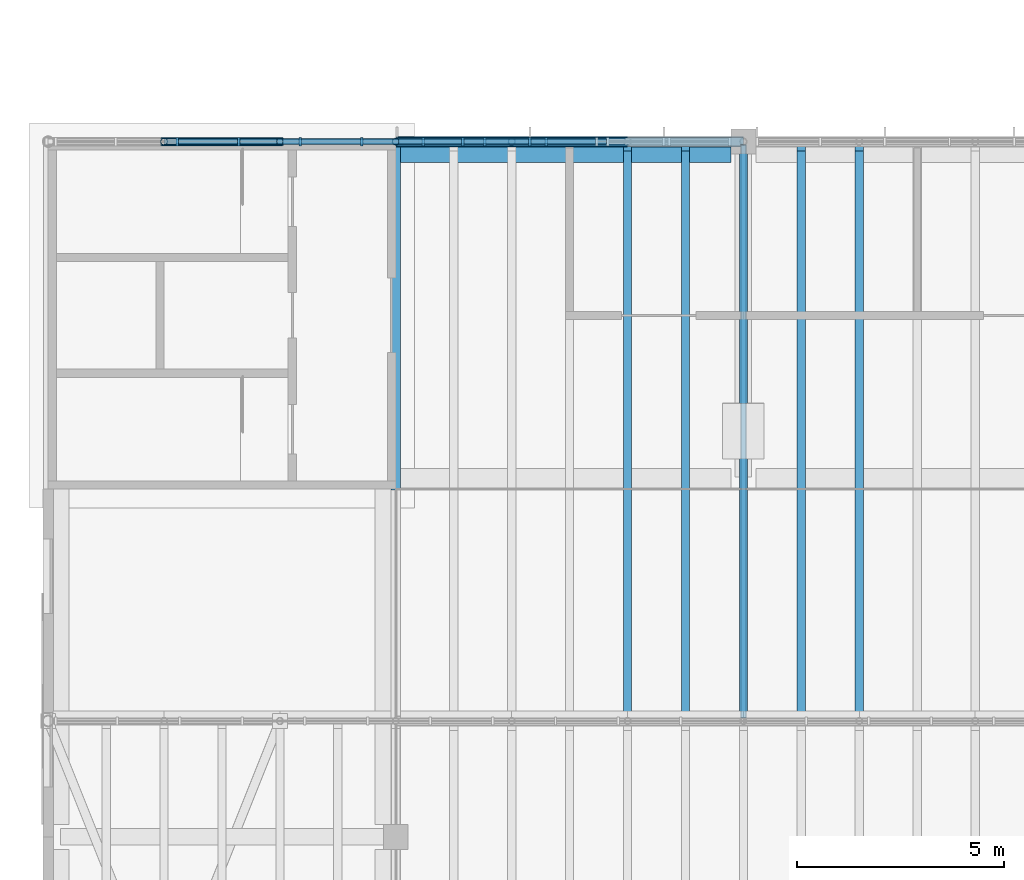
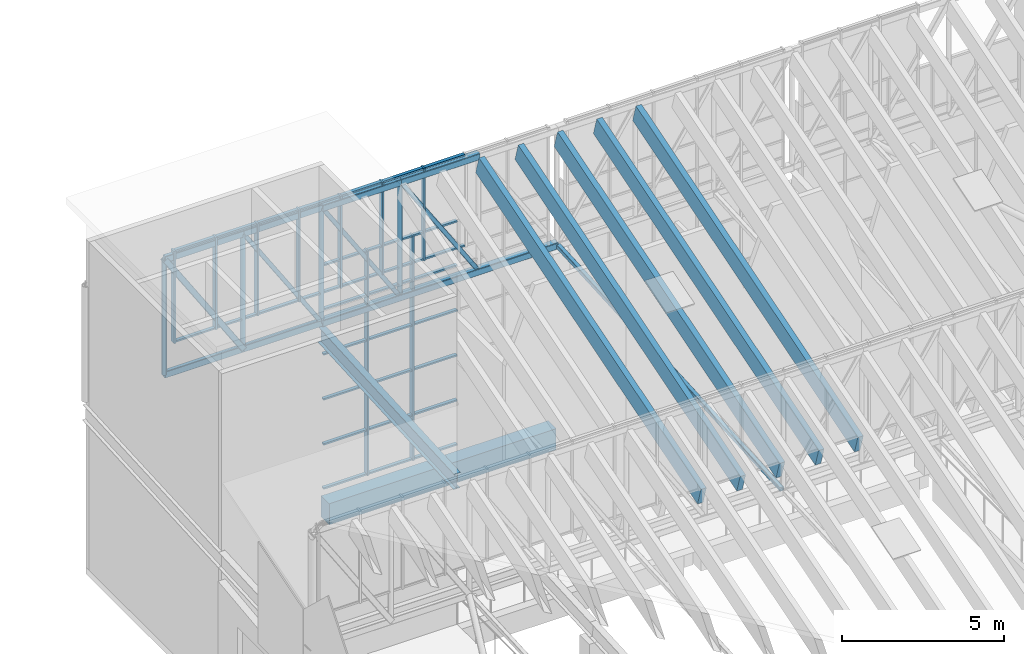
# One storey, part 31 of 91: 62 members, 2 beams, 2 elements without a shape of their own.
"""IFC4 building model written with IfcOpenShell, lengths in metres."""

import ifcopenshell
import ifcopenshell.guid

model = None  # the IFC model being written
_history = None  # IfcOwnerHistory: only IFC2X3 demands one
_inside = {}  # id of a spatial element -> (the spatial element, [elements in it])
_under = {}  # id of a project, library or spatial element -> (it, [spatial elements below it])
_declared = {}  # id of a project -> (the project, [libraries it declares])
_typed = {}  # id of a type object -> (the type object, [elements of that type])
_made_of = {}  # id of a material, layer set ... -> (it, [elements and type objects made of it])


def new_model(schema):
    """Start an empty IFC model of exactly this schema.

    Asked for "IFC4X3", IfcOpenShell would pick the latest addendum, in which some entities
    have other attributes; the version numbers below select the first issue.
    IFC2X3 requires an IfcOwnerHistory on every rooted entity: one is made here for all.
    """
    global model, _history
    if schema == "IFC4X3":
        model = ifcopenshell.file(schema_version=(4, 3, 0, 0))
    else:
        model = ifcopenshell.file(schema=schema)
    _inside.clear()
    _under.clear()
    _declared.clear()
    _typed.clear()
    _made_of.clear()
    _history = None
    if model.schema == "IFC2X3":
        org = make("IfcOrganization", Name="unknown")
        user = make(
            "IfcPersonAndOrganization",
            ThePerson=make("IfcPerson", FamilyName="unknown"),
            TheOrganization=org,
        )
        app = make(
            "IfcApplication",
            ApplicationDeveloper=org,
            Version="unknown",
            ApplicationFullName="unknown",
            ApplicationIdentifier="unknown",
        )
        _history = make(
            "IfcOwnerHistory",
            OwningUser=user,
            OwningApplication=app,
            ChangeAction="ADDED",
            CreationDate=0,
        )
    return model


def make(cls, **values):
    """One entity of the class cls with the attributes given. An attribute that is None is left unset."""
    return model.create_entity(
        cls, **{name: value for name, value in values.items() if value is not None}
    )


def rooted(cls, **values):
    """An entity with a GlobalId (a new one), such as an element, a storey or a relation."""
    return make(cls, GlobalId=ifcopenshell.guid.new(), OwnerHistory=_history, **values)


def si_unit(unit_type, name, prefix=None):
    """IfcSIUnit, for example si_unit("LENGTHUNIT", "METRE", prefix="MILLI")."""
    return make("IfcSIUnit", UnitType=unit_type, Prefix=prefix, Name=name)


def assignment(units):
    """IfcUnitAssignment: the units of a project."""
    return None if units is None else make("IfcUnitAssignment", Units=units)


def point(xyz):
    """IfcCartesianPoint."""
    return None if xyz is None else make("IfcCartesianPoint", Coordinates=xyz)


def direction(xyz):
    """IfcDirection."""
    return None if xyz is None else make("IfcDirection", DirectionRatios=xyz)


def frame(location, z_axis=None, x_axis=None):
    """IfcAxis2Placement3D, a coordinate frame: its origin and axes. An axis left out is left unset."""
    return make(
        "IfcAxis2Placement3D",
        Location=point(location),
        Axis=direction(z_axis),
        RefDirection=direction(x_axis),
    )


def frame_2d(location, x_axis=None):
    """IfcAxis2Placement2D, a coordinate frame in the plane: its origin and x axis."""
    return make(
        "IfcAxis2Placement2D", Location=point(location), RefDirection=direction(x_axis)
    )


def origin():
    """The frame at (0, 0, 0) with its axes left unset."""
    return frame((0.0, 0.0, 0.0))


def origin_2d():
    """The frame at (0, 0) in the plane with its x axis left unset."""
    return frame_2d((0.0, 0.0))


def place(relative_to, where):
    """IfcLocalPlacement: puts the frame where relative to a parent placement (None: the world)."""
    return make(
        "IfcLocalPlacement", PlacementRelTo=relative_to, RelativePlacement=where
    )


def context(
    kind, dimensions, precision=None, world=None, true_north=None, identifier=None
):
    """IfcGeometricRepresentationContext, for example the 3D "Model" context."""
    return make(
        "IfcGeometricRepresentationContext",
        ContextIdentifier=identifier,
        ContextType=kind,
        CoordinateSpaceDimension=dimensions,
        Precision=precision,
        WorldCoordinateSystem=world,
        TrueNorth=true_north,
    )


def subcontext(parent, identifier, kind, view, scale=None):
    """IfcGeometricRepresentationSubContext, for example "Body" below "Model"."""
    return make(
        "IfcGeometricRepresentationSubContext",
        ContextIdentifier=identifier,
        ContextType=kind,
        ParentContext=parent,
        TargetScale=scale,
        TargetView=view,
    )


def project(units=None, contexts=None):
    """IfcProject with its units and contexts."""
    return rooted(
        "IfcProject",
        Name="project",
        RepresentationContexts=contexts,
        UnitsInContext=assignment(units),
    )


def spatial(cls, under=None, at=None, **own):
    """A site, building, storey or space (cls), placed at a placement, below another one or the project."""
    s = rooted(cls, ObjectPlacement=at, **own)
    if under is not None:
        _under.setdefault(under.id(), (under, []))[1].append(s)
    return s


def profile(cls, at=None, kind="AREA", **sizes):
    """A parametric profile (cls). Its sizes go by their IFC names, for example OverallWidth=200.0."""
    return make(cls, ProfileType=kind, Position=at, **sizes)


def rectangle(**sizes):
    """IfcRectangleProfileDef."""
    return profile("IfcRectangleProfileDef", **sizes)


def hollow_rectangle(**sizes):
    """IfcRectangleHollowProfileDef."""
    return profile("IfcRectangleHollowProfileDef", **sizes)


def hollow_circle(**sizes):
    """IfcCircleHollowProfileDef."""
    return profile("IfcCircleHollowProfileDef", **sizes)


def i_section(**sizes):
    """IfcIShapeProfileDef."""
    return profile("IfcIShapeProfileDef", **sizes)


def extrude(swept, where, along, depth):
    """IfcExtrudedAreaSolid: the profile swept, set in the frame where, extruded along a direction by depth."""
    return make(
        "IfcExtrudedAreaSolid",
        SweptArea=swept,
        Position=where,
        ExtrudedDirection=direction(along),
        Depth=depth,
    )


def shape(context_of_items, identifier, shape_type, items):
    """IfcShapeRepresentation: the items that make up one representation, for example the "Body"."""
    return make(
        "IfcShapeRepresentation",
        ContextOfItems=context_of_items,
        RepresentationIdentifier=identifier,
        RepresentationType=shape_type,
        Items=items,
    )


def material(Name=None, Category=None):
    """IfcMaterial."""
    return make("IfcMaterial", Name=Name, Category=Category)


def material_profile(
    of_material, cross_section, Name=None, Category=None, Priority=None
):
    """IfcMaterialProfile: a cross section and its material."""
    return make(
        "IfcMaterialProfile",
        Name=Name,
        Material=of_material,
        Profile=cross_section,
        Priority=Priority,
        Category=Category,
    )


def profile_set(profiles, Name=None, composite=None):
    """IfcMaterialProfileSet."""
    return make(
        "IfcMaterialProfileSet",
        Name=Name,
        MaterialProfiles=profiles,
        CompositeProfile=composite,
    )


def made_of(thing, what):
    """Note that an element or type object is made of a material, layer set ...; save() writes the relation."""
    if what is not None:
        _made_of.setdefault(what.id(), (what, []))[1].append(thing)
    return thing


def type_object(cls, material=None, **own):
    """A type object (cls), such as IfcWallType, which elements share."""
    return made_of(rooted(cls, **own), material)


def element(
    cls,
    number,
    at=None,
    inside=None,
    cuts=None,
    type_object=None,
    material=None,
    context=None,
    identifier="Body",
    shape_type=None,
    held_by="IfcProductDefinitionShape",
    body=None,
    shapes=None,
    **own,
):
    """One element of the class cls, such as IfcWall. Its Tag is "e" and its number.

    at: its placement. inside: the storey or other place that contains it. cuts: it is an
    opening in that element (IfcRelVoidsElement). A single representation is given by context,
    identifier, shape_type and body (its items); several are given by shapes. held_by: the class
    of the entity that holds the representations. save() writes the other relations.
    """
    e = rooted(cls, Tag="e%d" % number, ObjectPlacement=at, **own)
    if body is not None:
        shapes = [shape(context, identifier, shape_type, body)]
    if shapes is not None:
        e.Representation = make(held_by, Representations=shapes)
    if inside is not None:
        _inside.setdefault(inside.id(), (inside, []))[1].append(e)
    if cuts is not None:
        rooted(
            "IfcRelVoidsElement", RelatingBuildingElement=cuts, RelatedOpeningElement=e
        )
    if type_object is not None:
        _typed.setdefault(type_object.id(), (type_object, []))[1].append(e)
    return made_of(e, material)


def aggregate(whole, parts):
    """IfcRelAggregates: a whole, such as a stair, and the parts it consists of."""
    return rooted("IfcRelAggregates", RelatingObject=whole, RelatedObjects=parts)


def save(model, path):
    """Write the relations noted so far, then the file.

    IfcRelAggregates (storeys below a building ...), IfcRelContainedInSpatialStructure (elements
    in a storey), IfcRelDefinesByType, IfcRelAssociatesMaterial and IfcRelDeclares: one each for
    every whole, place, type object, material and project.
    """
    for whole, parts in _under.values():
        aggregate(whole, parts)
    for where, things in _inside.values():
        rooted(
            "IfcRelContainedInSpatialStructure",
            RelatedElements=things,
            RelatingStructure=where,
        )
    for kind, things in _typed.values():
        rooted("IfcRelDefinesByType", RelatedObjects=things, RelatingType=kind)
    for what, things in _made_of.values():
        rooted("IfcRelAssociatesMaterial", RelatedObjects=things, RelatingMaterial=what)
    for by, libraries in _declared.values():
        rooted("IfcRelDeclares", RelatingContext=by, RelatedDefinitions=libraries)
    model.write(path)


model = new_model("IFC4")

# Units and contexts
model_context = context("Model", 3, precision=1e-05, world=origin(), true_north=direction((0.0, 1.0)))
body_context = subcontext(model_context, "Body", "Model", "MODEL_VIEW")
ifc_project = project(units=[si_unit("LENGTHUNIT", "METRE"), si_unit("AREAUNIT", "SQUARE_METRE"), si_unit("VOLUMEUNIT", "CUBIC_METRE"), si_unit("PLANEANGLEUNIT", "RADIAN"), si_unit("MASSUNIT", "GRAM", prefix="KILO")], contexts=[model_context])

# Site, building, storey
site_placement = place(None, origin())
site = spatial("IfcSite", under=ifc_project, at=site_placement, CompositionType="ELEMENT")
building_placement = place(site_placement, origin())
building = spatial("IfcBuilding", under=site, at=building_placement, Name="Almond Square Museum", CompositionType="ELEMENT")
storey_placement = place(building_placement, frame((0.0, 0.0, 30.0)))
storey = spatial("IfcBuildingStorey", under=building, at=storey_placement, Name="L05", CompositionType="ELEMENT", Elevation=30.0)

# Curtain wall, members
ifc_material_1 = material(Name="Aluminium and laminated glass", Category="aluminium")
curtain_wall_type = type_object("IfcCurtainWallType", Name="Unitised curtain wall 1500 module", PredefinedType="NOTDEFINED", material=ifc_material_1)
curtain_wall_1_placement = place(storey_placement, origin())
curtain_wall_1 = element("IfcCurtainWall", 1, at=curtain_wall_1_placement, inside=storey, type_object=curtain_wall_type, Name="Curtain wall CW-55", PredefinedType="NOTDEFINED")
ifc_material_2 = material(Name="Anodised aluminium", Category="aluminium")
ifc_material_profile_1 = material_profile(ifc_material_2, rectangle(XDim=0.199951171875, YDim=0.06005859375, at=origin_2d()))
ifc_profile_set_1 = profile_set([ifc_material_profile_1], Name="Anodised aluminium")
member_type_1 = type_object("IfcMemberType", Name="Aluminium mullion 60 x 200", PredefinedType="MULLION", material=ifc_profile_set_1)
member_1_placement = place(storey_placement, frame((83.219970703125, 109.199951171875, 0.0), z_axis=(0.0, 0.0, 1.0), x_axis=(0.0, 1.0, 0.0)))
member_1 = element("IfcMember", 2, at=member_1_placement, type_object=member_type_1, Name="CW-55 mullion 2", PredefinedType="MULLION", context=body_context, shape_type="SweptSolid", body=[
    extrude(rectangle(XDim=0.199951171875, YDim=0.06005859375, at=origin_2d()), origin(), (0.0, 0.0, 1.0), 8.480224609375),
])
member_2_placement = place(storey_placement, frame((84.840087890625, 109.199951171875, 0.0), z_axis=(0.0, 0.0, 1.0), x_axis=(0.0, 1.0, 0.0)))
member_2 = element("IfcMember", 3, at=member_2_placement, type_object=member_type_1, Name="CW-55 mullion 3", PredefinedType="MULLION", context=body_context, shape_type="SweptSolid", body=[
    extrude(rectangle(XDim=0.199951171875, YDim=0.06005859375, at=origin_2d()), origin(), (0.0, 0.0, 1.0), 8.480224609375),
])

curtain_wall_2_placement = place(storey_placement, origin())
curtain_wall_2 = element("IfcCurtainWall", 4, at=curtain_wall_2_placement, inside=storey, type_object=curtain_wall_type, Name="Rooflight glazing AG3", PredefinedType="NOTDEFINED")
member_3_placement = place(storey_placement, frame((76.32275390625, 109.199951171875, 7.39990234375), z_axis=(0.0, 0.0, 1.0), x_axis=(0.0, 1.0, 0.0)))
member_3 = element("IfcMember", 5, at=member_3_placement, type_object=member_type_1, Name="CW-58 mullion 3", PredefinedType="MULLION", context=body_context, shape_type="SweptSolid", body=[
    extrude(rectangle(XDim=0.199951171875, YDim=0.06005859375, at=origin_2d()), origin(), (0.0, 0.0, 1.0), 3.480224609375),
])
member_4_placement = place(storey_placement, frame((77.80908203125, 109.199951171875, 7.39990234375), z_axis=(0.0, 0.0, 1.0), x_axis=(0.0, 1.0, 0.0)))
member_4 = element("IfcMember", 6, at=member_4_placement, type_object=member_type_1, Name="CW-58 mullion 4", PredefinedType="MULLION", context=body_context, shape_type="SweptSolid", body=[
    extrude(rectangle(XDim=0.199951171875, YDim=0.06005859375, at=origin_2d()), origin(), (0.0, 0.0, 1.0), 3.480224609375),
])
member_5_placement = place(storey_placement, frame((79.29541015625, 109.199951171875, 7.39990234375), z_axis=(0.0, 0.0, 1.0), x_axis=(0.0, 1.0, 0.0)))
member_5 = element("IfcMember", 7, at=member_5_placement, type_object=member_type_1, Name="CW-58 mullion 5", PredefinedType="MULLION", context=body_context, shape_type="SweptSolid", body=[
    extrude(rectangle(XDim=0.199951171875, YDim=0.06005859375, at=origin_2d()), origin(), (0.0, 0.0, 1.0), 3.480224609375),
])
member_6_placement = place(storey_placement, frame((80.78173828125, 109.199951171875, 7.39990234375), z_axis=(0.0, 0.0, 1.0), x_axis=(0.0, 1.0, 0.0)))
member_6 = element("IfcMember", 8, at=member_6_placement, type_object=member_type_1, Name="CW-58 mullion 6", PredefinedType="MULLION", context=body_context, shape_type="SweptSolid", body=[
    extrude(rectangle(XDim=0.199951171875, YDim=0.06005859375, at=origin_2d()), origin(), (0.0, 0.0, 1.0), 3.480224609375),
])
member_7_placement = place(storey_placement, frame((82.26806640625, 109.199951171875, 7.39990234375), z_axis=(0.0, 0.0, 1.0), x_axis=(0.0, 1.0, 0.0)))
member_7 = element("IfcMember", 9, at=member_7_placement, type_object=member_type_1, Name="CW-58 mullion 7", PredefinedType="MULLION", context=body_context, shape_type="SweptSolid", body=[
    extrude(rectangle(XDim=0.199951171875, YDim=0.06005859375, at=origin_2d()), origin(), (0.0, 0.0, 1.0), 3.480224609375),
])
member_8_placement = place(storey_placement, frame((83.754638671875, 109.199951171875, 7.39990234375), z_axis=(0.0, 0.0, 1.0), x_axis=(0.0, 1.0, 0.0)))
member_8 = element("IfcMember", 10, at=member_8_placement, type_object=member_type_1, Name="CW-58 mullion 8", PredefinedType="MULLION", context=body_context, shape_type="SweptSolid", body=[
    extrude(rectangle(XDim=0.199951171875, YDim=0.06005859375, at=origin_2d()), origin(), (0.0, 0.0, 1.0), 3.480224609375),
])
member_9_placement = place(storey_placement, frame((85.240966796875, 109.199951171875, 7.39990234375), z_axis=(0.0, 0.0, 1.0), x_axis=(0.0, 1.0, 0.0)))
member_9 = element("IfcMember", 11, at=member_9_placement, type_object=member_type_1, Name="CW-58 mullion 9", PredefinedType="MULLION", context=body_context, shape_type="SweptSolid", body=[
    extrude(rectangle(XDim=0.199951171875, YDim=0.06005859375, at=origin_2d()), origin(), (0.0, 0.0, 1.0), 3.480224609375),
])

# Member
ifc_material_3 = material(Name="Anodised aluminium", Category="aluminium")
ifc_material_profile_2 = material_profile(ifc_material_3, rectangle(XDim=0.1201171875, YDim=0.06005859375, at=origin_2d()))
ifc_profile_set_2 = profile_set([ifc_material_profile_2], Name="Anodised aluminium")
member_type_2 = type_object("IfcMemberType", Name="Aluminium transom 60 x 120", PredefinedType="USERDEFINED", material=ifc_profile_set_2)
member_10_placement = place(storey_placement, frame((81.659912109375, 109.199951171875, 0.030029296875), z_axis=(1.0, 0.0, 0.0), x_axis=(0.0, 1.0, 0.0)))
member_10 = element("IfcMember", 12, at=member_10_placement, type_object=member_type_2, Name="CW-55 transom 1.1", ObjectType="TRANSOM", PredefinedType="USERDEFINED", context=body_context, shape_type="SweptSolid", body=[
    extrude(rectangle(XDim=0.1201171875, YDim=0.06005859375, at=origin_2d()), origin(), (0.0, 0.0, 1.0), 1.530029296875),
])

member_11_placement = place(storey_placement, frame((81.659912109375, 109.199951171875, 1.696044921875), z_axis=(1.0, 0.0, 0.0), x_axis=(0.0, 1.0, 0.0)))
member_11 = element("IfcMember", 13, at=member_11_placement, type_object=member_type_2, Name="CW-55 transom 1.2", ObjectType="TRANSOM", PredefinedType="USERDEFINED", context=body_context, shape_type="SweptSolid", body=[
    extrude(rectangle(XDim=0.1201171875, YDim=0.06005859375, at=origin_2d()), origin(), (0.0, 0.0, 1.0), 1.530029296875),
])

member_12_placement = place(storey_placement, frame((81.659912109375, 109.199951171875, 3.39208984375), z_axis=(1.0, 0.0, 0.0), x_axis=(0.0, 1.0, 0.0)))
member_12 = element("IfcMember", 14, at=member_12_placement, type_object=member_type_2, Name="CW-55 transom 1.3", ObjectType="TRANSOM", PredefinedType="USERDEFINED", context=body_context, shape_type="SweptSolid", body=[
    extrude(rectangle(XDim=0.1201171875, YDim=0.06005859375, at=origin_2d()), origin(), (0.0, 0.0, 1.0), 1.530029296875),
])

member_13_placement = place(storey_placement, frame((81.659912109375, 109.199951171875, 5.088134765625), z_axis=(1.0, 0.0, 0.0), x_axis=(0.0, 1.0, 0.0)))
member_13 = element("IfcMember", 15, at=member_13_placement, type_object=member_type_2, Name="CW-55 transom 1.4", ObjectType="TRANSOM", PredefinedType="USERDEFINED", context=body_context, shape_type="SweptSolid", body=[
    extrude(rectangle(XDim=0.1201171875, YDim=0.06005859375, at=origin_2d()), origin(), (0.0, 0.0, 1.0), 1.530029296875),
])

member_14_placement = place(storey_placement, frame((81.659912109375, 109.199951171875, 6.7841796875), z_axis=(1.0, 0.0, 0.0), x_axis=(0.0, 1.0, 0.0)))
member_14 = element("IfcMember", 16, at=member_14_placement, type_object=member_type_2, Name="CW-55 transom 1.5", ObjectType="TRANSOM", PredefinedType="USERDEFINED", context=body_context, shape_type="SweptSolid", body=[
    extrude(rectangle(XDim=0.1201171875, YDim=0.06005859375, at=origin_2d()), origin(), (0.0, 0.0, 1.0), 1.530029296875),
])

member_15_placement = place(storey_placement, frame((81.659912109375, 109.199951171875, 8.4501953125), z_axis=(1.0, 0.0, 0.0), x_axis=(0.0, 1.0, 0.0)))
member_15 = element("IfcMember", 17, at=member_15_placement, type_object=member_type_2, Name="CW-55 transom 1.6", ObjectType="TRANSOM", PredefinedType="USERDEFINED", context=body_context, shape_type="SweptSolid", body=[
    extrude(rectangle(XDim=0.1201171875, YDim=0.06005859375, at=origin_2d()), origin(), (0.0, 0.0, 1.0), 1.530029296875),
])

member_16_placement = place(storey_placement, frame((83.25, 109.199951171875, 0.030029296875), z_axis=(1.0, 0.0, 0.0), x_axis=(0.0, 1.0, 0.0)))
member_16 = element("IfcMember", 18, at=member_16_placement, type_object=member_type_2, Name="CW-55 transom 2.1", ObjectType="TRANSOM", PredefinedType="USERDEFINED", context=body_context, shape_type="SweptSolid", body=[
    extrude(rectangle(XDim=0.1201171875, YDim=0.06005859375, at=origin_2d()), origin(), (0.0, 0.0, 1.0), 1.56005859375),
])

member_17_placement = place(storey_placement, frame((83.25, 109.199951171875, 1.696044921875), z_axis=(1.0, 0.0, 0.0), x_axis=(0.0, 1.0, 0.0)))
member_17 = element("IfcMember", 19, at=member_17_placement, type_object=member_type_2, Name="CW-55 transom 2.2", ObjectType="TRANSOM", PredefinedType="USERDEFINED", context=body_context, shape_type="SweptSolid", body=[
    extrude(rectangle(XDim=0.1201171875, YDim=0.06005859375, at=origin_2d()), origin(), (0.0, 0.0, 1.0), 1.56005859375),
])

member_18_placement = place(storey_placement, frame((83.25, 109.199951171875, 3.39208984375), z_axis=(1.0, 0.0, 0.0), x_axis=(0.0, 1.0, 0.0)))
member_18 = element("IfcMember", 20, at=member_18_placement, type_object=member_type_2, Name="CW-55 transom 2.3", ObjectType="TRANSOM", PredefinedType="USERDEFINED", context=body_context, shape_type="SweptSolid", body=[
    extrude(rectangle(XDim=0.1201171875, YDim=0.06005859375, at=origin_2d()), origin(), (0.0, 0.0, 1.0), 1.56005859375),
])

member_19_placement = place(storey_placement, frame((83.25, 109.199951171875, 5.088134765625), z_axis=(1.0, 0.0, 0.0), x_axis=(0.0, 1.0, 0.0)))
member_19 = element("IfcMember", 21, at=member_19_placement, type_object=member_type_2, Name="CW-55 transom 2.4", ObjectType="TRANSOM", PredefinedType="USERDEFINED", context=body_context, shape_type="SweptSolid", body=[
    extrude(rectangle(XDim=0.1201171875, YDim=0.06005859375, at=origin_2d()), origin(), (0.0, 0.0, 1.0), 1.56005859375),
])

member_20_placement = place(storey_placement, frame((83.25, 109.199951171875, 6.7841796875), z_axis=(1.0, 0.0, 0.0), x_axis=(0.0, 1.0, 0.0)))
member_20 = element("IfcMember", 22, at=member_20_placement, type_object=member_type_2, Name="CW-55 transom 2.5", ObjectType="TRANSOM", PredefinedType="USERDEFINED", context=body_context, shape_type="SweptSolid", body=[
    extrude(rectangle(XDim=0.1201171875, YDim=0.06005859375, at=origin_2d()), origin(), (0.0, 0.0, 1.0), 1.56005859375),
])

member_21_placement = place(storey_placement, frame((83.25, 109.199951171875, 8.4501953125), z_axis=(1.0, 0.0, 0.0), x_axis=(0.0, 1.0, 0.0)))
member_21 = element("IfcMember", 23, at=member_21_placement, type_object=member_type_2, Name="CW-55 transom 2.6", ObjectType="TRANSOM", PredefinedType="USERDEFINED", context=body_context, shape_type="SweptSolid", body=[
    extrude(rectangle(XDim=0.1201171875, YDim=0.06005859375, at=origin_2d()), origin(), (0.0, 0.0, 1.0), 1.56005859375),
])

member_22_placement = place(storey_placement, frame((84.8701171875, 109.199951171875, 0.030029296875), z_axis=(1.0, 0.0, 0.0), x_axis=(0.0, 1.0, 0.0)))
member_22 = element("IfcMember", 24, at=member_22_placement, type_object=member_type_2, Name="CW-55 transom 3.1", ObjectType="TRANSOM", PredefinedType="USERDEFINED", context=body_context, shape_type="SweptSolid", body=[
    extrude(rectangle(XDim=0.1201171875, YDim=0.06005859375, at=origin_2d()), origin(), (0.0, 0.0, 1.0), 1.559814453125),
])

member_23_placement = place(storey_placement, frame((84.8701171875, 109.199951171875, 1.696044921875), z_axis=(1.0, 0.0, 0.0), x_axis=(0.0, 1.0, 0.0)))
member_23 = element("IfcMember", 25, at=member_23_placement, type_object=member_type_2, Name="CW-55 transom 3.2", ObjectType="TRANSOM", PredefinedType="USERDEFINED", context=body_context, shape_type="SweptSolid", body=[
    extrude(rectangle(XDim=0.1201171875, YDim=0.06005859375, at=origin_2d()), origin(), (0.0, 0.0, 1.0), 1.559814453125),
])

member_24_placement = place(storey_placement, frame((84.8701171875, 109.199951171875, 3.39208984375), z_axis=(1.0, 0.0, 0.0), x_axis=(0.0, 1.0, 0.0)))
member_24 = element("IfcMember", 26, at=member_24_placement, type_object=member_type_2, Name="CW-55 transom 3.3", ObjectType="TRANSOM", PredefinedType="USERDEFINED", context=body_context, shape_type="SweptSolid", body=[
    extrude(rectangle(XDim=0.1201171875, YDim=0.06005859375, at=origin_2d()), origin(), (0.0, 0.0, 1.0), 1.559814453125),
])

member_25_placement = place(storey_placement, frame((84.8701171875, 109.199951171875, 5.088134765625), z_axis=(1.0, 0.0, 0.0), x_axis=(0.0, 1.0, 0.0)))
member_25 = element("IfcMember", 27, at=member_25_placement, type_object=member_type_2, Name="CW-55 transom 3.4", ObjectType="TRANSOM", PredefinedType="USERDEFINED", context=body_context, shape_type="SweptSolid", body=[
    extrude(rectangle(XDim=0.1201171875, YDim=0.06005859375, at=origin_2d()), origin(), (0.0, 0.0, 1.0), 1.559814453125),
])

member_26_placement = place(storey_placement, frame((84.8701171875, 109.199951171875, 6.7841796875), z_axis=(1.0, 0.0, 0.0), x_axis=(0.0, 1.0, 0.0)))
member_26 = element("IfcMember", 28, at=member_26_placement, type_object=member_type_2, Name="CW-55 transom 3.5", ObjectType="TRANSOM", PredefinedType="USERDEFINED", context=body_context, shape_type="SweptSolid", body=[
    extrude(rectangle(XDim=0.1201171875, YDim=0.06005859375, at=origin_2d()), origin(), (0.0, 0.0, 1.0), 1.559814453125),
])

member_27_placement = place(storey_placement, frame((84.8701171875, 109.199951171875, 8.4501953125), z_axis=(1.0, 0.0, 0.0), x_axis=(0.0, 1.0, 0.0)))
member_27 = element("IfcMember", 29, at=member_27_placement, type_object=member_type_2, Name="CW-55 transom 3.6", ObjectType="TRANSOM", PredefinedType="USERDEFINED", context=body_context, shape_type="SweptSolid", body=[
    extrude(rectangle(XDim=0.1201171875, YDim=0.06005859375, at=origin_2d()), origin(), (0.0, 0.0, 1.0), 1.559814453125),
])

aggregate(curtain_wall_1, [member_1, member_2, member_10, member_11, member_12, member_13, member_14, member_15, member_16, member_17, member_18, member_19, member_20, member_21, member_22, member_23, member_24, member_25, member_26, member_27])

member_28_placement = place(storey_placement, frame((76.352783203125, 109.199951171875, 7.429931640625), z_axis=(1.0, 0.0, 0.0), x_axis=(0.0, 1.0, 0.0)))
member_28 = element("IfcMember", 30, at=member_28_placement, type_object=member_type_2, Name="CW-58 transom 3.1", ObjectType="TRANSOM", PredefinedType="USERDEFINED", context=body_context, shape_type="SweptSolid", body=[
    extrude(rectangle(XDim=0.1201171875, YDim=0.06005859375, at=origin_2d()), origin(), (0.0, 0.0, 1.0), 1.42626953125),
])

member_29_placement = place(storey_placement, frame((76.352783203125, 109.199951171875, 10.850341796875), z_axis=(1.0, 0.0, 0.0), x_axis=(0.0, 1.0, 0.0)))
member_29 = element("IfcMember", 31, at=member_29_placement, type_object=member_type_2, Name="CW-58 transom 3.2", ObjectType="TRANSOM", PredefinedType="USERDEFINED", context=body_context, shape_type="SweptSolid", body=[
    extrude(rectangle(XDim=0.1201171875, YDim=0.06005859375, at=origin_2d()), origin(), (0.0, 0.0, 1.0), 1.42626953125),
])

member_30_placement = place(storey_placement, frame((77.839111328125, 109.199951171875, 7.429931640625), z_axis=(1.0, 0.0, 0.0), x_axis=(0.0, 1.0, 0.0)))
member_30 = element("IfcMember", 32, at=member_30_placement, type_object=member_type_2, Name="CW-58 transom 4.1", ObjectType="TRANSOM", PredefinedType="USERDEFINED", context=body_context, shape_type="SweptSolid", body=[
    extrude(rectangle(XDim=0.1201171875, YDim=0.06005859375, at=origin_2d()), origin(), (0.0, 0.0, 1.0), 1.42626953125),
])

member_31_placement = place(storey_placement, frame((77.839111328125, 109.199951171875, 10.850341796875), z_axis=(1.0, 0.0, 0.0), x_axis=(0.0, 1.0, 0.0)))
member_31 = element("IfcMember", 33, at=member_31_placement, type_object=member_type_2, Name="CW-58 transom 4.2", ObjectType="TRANSOM", PredefinedType="USERDEFINED", context=body_context, shape_type="SweptSolid", body=[
    extrude(rectangle(XDim=0.1201171875, YDim=0.06005859375, at=origin_2d()), origin(), (0.0, 0.0, 1.0), 1.42626953125),
])

member_32_placement = place(storey_placement, frame((79.325439453125, 109.199951171875, 7.429931640625), z_axis=(1.0, 0.0, 0.0), x_axis=(0.0, 1.0, 0.0)))
member_32 = element("IfcMember", 34, at=member_32_placement, type_object=member_type_2, Name="CW-58 transom 5.1", ObjectType="TRANSOM", PredefinedType="USERDEFINED", context=body_context, shape_type="SweptSolid", body=[
    extrude(rectangle(XDim=0.1201171875, YDim=0.06005859375, at=origin_2d()), origin(), (0.0, 0.0, 1.0), 1.42626953125),
])

member_33_placement = place(storey_placement, frame((79.325439453125, 109.199951171875, 10.850341796875), z_axis=(1.0, 0.0, 0.0), x_axis=(0.0, 1.0, 0.0)))
member_33 = element("IfcMember", 35, at=member_33_placement, type_object=member_type_2, Name="CW-58 transom 5.2", ObjectType="TRANSOM", PredefinedType="USERDEFINED", context=body_context, shape_type="SweptSolid", body=[
    extrude(rectangle(XDim=0.1201171875, YDim=0.06005859375, at=origin_2d()), origin(), (0.0, 0.0, 1.0), 1.42626953125),
])

member_34_placement = place(storey_placement, frame((80.811767578125, 109.199951171875, 7.429931640625), z_axis=(1.0, 0.0, 0.0), x_axis=(0.0, 1.0, 0.0)))
member_34 = element("IfcMember", 36, at=member_34_placement, type_object=member_type_2, Name="CW-58 transom 6.1", ObjectType="TRANSOM", PredefinedType="USERDEFINED", context=body_context, shape_type="SweptSolid", body=[
    extrude(rectangle(XDim=0.1201171875, YDim=0.06005859375, at=origin_2d()), origin(), (0.0, 0.0, 1.0), 1.426513671875),
])

member_35_placement = place(storey_placement, frame((80.811767578125, 109.199951171875, 10.850341796875), z_axis=(1.0, 0.0, 0.0), x_axis=(0.0, 1.0, 0.0)))
member_35 = element("IfcMember", 37, at=member_35_placement, type_object=member_type_2, Name="CW-58 transom 6.2", ObjectType="TRANSOM", PredefinedType="USERDEFINED", context=body_context, shape_type="SweptSolid", body=[
    extrude(rectangle(XDim=0.1201171875, YDim=0.06005859375, at=origin_2d()), origin(), (0.0, 0.0, 1.0), 1.426513671875),
])

member_36_placement = place(storey_placement, frame((82.298095703125, 109.199951171875, 7.429931640625), z_axis=(1.0, 0.0, 0.0), x_axis=(0.0, 1.0, 0.0)))
member_36 = element("IfcMember", 38, at=member_36_placement, type_object=member_type_2, Name="CW-58 transom 7.1", ObjectType="TRANSOM", PredefinedType="USERDEFINED", context=body_context, shape_type="SweptSolid", body=[
    extrude(rectangle(XDim=0.1201171875, YDim=0.06005859375, at=origin_2d()), origin(), (0.0, 0.0, 1.0), 1.426513671875),
])

member_37_placement = place(storey_placement, frame((82.298095703125, 109.199951171875, 10.850341796875), z_axis=(1.0, 0.0, 0.0), x_axis=(0.0, 1.0, 0.0)))
member_37 = element("IfcMember", 39, at=member_37_placement, type_object=member_type_2, Name="CW-58 transom 7.2", ObjectType="TRANSOM", PredefinedType="USERDEFINED", context=body_context, shape_type="SweptSolid", body=[
    extrude(rectangle(XDim=0.1201171875, YDim=0.06005859375, at=origin_2d()), origin(), (0.0, 0.0, 1.0), 1.426513671875),
])

member_38_placement = place(storey_placement, frame((83.784423828125, 109.199951171875, 7.429931640625), z_axis=(1.0, 0.0, 0.0), x_axis=(0.0, 1.0, 0.0)))
member_38 = element("IfcMember", 40, at=member_38_placement, type_object=member_type_2, Name="CW-58 transom 8.1", ObjectType="TRANSOM", PredefinedType="USERDEFINED", context=body_context, shape_type="SweptSolid", body=[
    extrude(rectangle(XDim=0.1201171875, YDim=0.06005859375, at=origin_2d()), origin(), (0.0, 0.0, 1.0), 1.426513671875),
])

member_39_placement = place(storey_placement, frame((83.784423828125, 109.199951171875, 10.850341796875), z_axis=(1.0, 0.0, 0.0), x_axis=(0.0, 1.0, 0.0)))
member_39 = element("IfcMember", 41, at=member_39_placement, type_object=member_type_2, Name="CW-58 transom 8.2", ObjectType="TRANSOM", PredefinedType="USERDEFINED", context=body_context, shape_type="SweptSolid", body=[
    extrude(rectangle(XDim=0.1201171875, YDim=0.06005859375, at=origin_2d()), origin(), (0.0, 0.0, 1.0), 1.426513671875),
])

member_40_placement = place(storey_placement, frame((85.27099609375, 109.199951171875, 7.429931640625), z_axis=(1.0, 0.0, 0.0), x_axis=(0.0, 1.0, 0.0)))
member_40 = element("IfcMember", 42, at=member_40_placement, type_object=member_type_2, Name="CW-58 transom 9.1", ObjectType="TRANSOM", PredefinedType="USERDEFINED", context=body_context, shape_type="SweptSolid", body=[
    extrude(rectangle(XDim=0.1201171875, YDim=0.06005859375, at=origin_2d()), origin(), (0.0, 0.0, 1.0), 1.42626953125),
])

member_41_placement = place(storey_placement, frame((85.27099609375, 109.199951171875, 10.850341796875), z_axis=(1.0, 0.0, 0.0), x_axis=(0.0, 1.0, 0.0)))
member_41 = element("IfcMember", 43, at=member_41_placement, type_object=member_type_2, Name="CW-58 transom 9.2", ObjectType="TRANSOM", PredefinedType="USERDEFINED", context=body_context, shape_type="SweptSolid", body=[
    extrude(rectangle(XDim=0.1201171875, YDim=0.06005859375, at=origin_2d()), origin(), (0.0, 0.0, 1.0), 1.42626953125),
])

aggregate(curtain_wall_2, [member_3, member_4, member_5, member_6, member_7, member_8, member_9, member_28, member_29, member_30, member_31, member_32, member_33, member_34, member_35, member_36, member_37, member_38, member_39, member_40, member_41])

# Beam
ifc_material_4 = material(Name="Structural steel S355", Category="steel")
ifc_material_profile_3 = material_profile(ifc_material_4, i_section(OverallWidth=0.22802734375, OverallDepth=0.60693359375, WebThickness=0.01123046875, FlangeThickness=0.017333984375, at=origin_2d()))
ifc_profile_set_3 = profile_set([ifc_material_profile_3], Name="Structural steel S355")
beam_type_1 = type_object("IfcBeamType", Name="Girder W610x113", PredefinedType="BEAM", material=ifc_profile_set_3)
beam_1_placement = place(storey_placement, frame((81.60009765625, 100.800048828125, 5.396728515625), z_axis=(0.0, 0.998371428865, 0.0570481378), x_axis=(-1.0, 0.0, 0.0)))
element("IfcBeam", 44, at=beam_1_placement, inside=storey, type_object=beam_type_1, Name="Atrium roof girder 2.4", PredefinedType="BEAM", context=body_context, shape_type="SweptSolid", body=[
    extrude(i_section(OverallWidth=0.22802734375, OverallDepth=0.60693359375, WebThickness=0.01123046875, FlangeThickness=0.017333984375, at=origin_2d()), origin(), (0.0, 0.0, 1.0), 8.41357421875),
])

# Members
ifc_material_5 = material(Name="Glulam GL28h", Category="wood")
ifc_material_profile_4 = material_profile(ifc_material_5, rectangle(XDim=0.199951171875, YDim=0.699951171875, at=origin_2d()))
ifc_profile_set_4 = profile_set([ifc_material_profile_4], Name="Glulam GL28h")
member_type_3 = type_object("IfcMemberType", Name="Glulam rafter GL28h 200x700", PredefinedType="RAFTER", material=ifc_profile_set_4)
for number, where, z_axis, x_axis, name in (
    (45, (87.199951171875, 95.35791015625, 6.177734375), (0.0, 0.956302273391, 0.292379824727), (-1.0, 0.0, 0.0), "Atrium rafter 3.11"),
    (46, (88.60009765625, 95.35791015625, 6.177734375), (0.0, 0.956302273391, 0.292379824727), (-1.0, 0.0, 0.0), "Atrium rafter 3.12"),
    (47, (90.0, 95.35791015625, 6.177734375), (0.0, 0.956302273391, 0.292379824727), (-1.0, 0.0, 0.0), "Atrium rafter 3.13"),
    (48, (91.39990234375, 95.35791015625, 6.177734375), (0.0, 0.956302273391, 0.292379824727), (-1.0, 0.0, 0.0), "Atrium rafter 3.14"),
    (49, (92.800048828125, 95.35791015625, 6.177734375), (0.0, 0.956302273391, 0.292379824727), (-1.0, 0.0, 0.0), "Atrium rafter 3.15"),
):
    element("IfcMember", number, at=place(storey_placement, frame(where, z_axis=z_axis, x_axis=x_axis)), inside=storey, type_object=member_type_3, Name=name, PredefinedType="RAFTER", context=body_context, shape_type="SweptSolid", body=[
        extrude(rectangle(XDim=0.199951171875, YDim=0.699951171875, at=origin_2d()), origin(), (0.0, 0.0, 1.0), 14.34375),
    ])

# Beam
ifc_material_6 = material(Name="Concrete C40/50", Category="concrete")
ifc_material_profile_5 = material_profile(ifc_material_6, rectangle(XDim=0.5, YDim=0.800048828125, at=origin_2d()))
ifc_profile_set_5 = profile_set([ifc_material_profile_5], Name="Concrete C40/50")
beam_type_2 = type_object("IfcBeamType", Name="RC edge beam 500 x 800 C40/50", PredefinedType="BEAM", material=ifc_profile_set_5)
beam_2_placement = place(storey_placement, frame((81.60009765625, 108.949951171875, -0.64990234375), z_axis=(1.0, 0.0, 0.0), x_axis=(0.0, 1.0, 0.0)))
element("IfcBeam", 50, at=beam_2_placement, inside=storey, type_object=beam_type_2, Name="Edge beam N 11-12 L05", PredefinedType="BEAM", context=body_context, shape_type="SweptSolid", body=[
    extrude(rectangle(XDim=0.5, YDim=0.800048828125, at=origin_2d()), origin(), (0.0, 0.0, 1.0), 8.099853515625),
])

# Members
ifc_material_7 = material(Name="Structural steel S355", Category="steel")
ifc_material_profile_6 = material_profile(ifc_material_7, hollow_rectangle(XDim=0.14990234375, YDim=0.25, WallThickness=0.010009765625, InnerFilletRadius=0.014892578125, OuterFilletRadius=0.02490234375, at=origin_2d()))
ifc_profile_set_6 = profile_set([ifc_material_profile_6], Name="Structural steel S355")
member_type_4 = type_object("IfcMemberType", Name="Truss chord RHS 250x150x10", PredefinedType="CHORD", material=ifc_profile_set_6)
for number, where, z_axis, x_axis, name in (
    (51, (76.0, 109.199951171875, 10.650634765625), (1.0, 0.0, 0.0), (0.0, 1.0, 0.0), "TR-12 top chord 2"),
    (52, (76.0, 109.199951171875, 6.30517578125), (1.0, 0.0, 0.0), (0.0, 1.0, 0.0), "TR-12 bottom chord 2"),
    (53, (78.800048828125, 109.199951171875, 10.650634765625), (1.0, 0.0, 0.0), (0.0, 1.0, 0.0), "TR-12 top chord 3"),
    (54, (78.800048828125, 109.199951171875, 6.30517578125), (1.0, 0.0, 0.0), (0.0, 1.0, 0.0), "TR-12 bottom chord 3"),
):
    element("IfcMember", number, at=place(storey_placement, frame(where, z_axis=z_axis, x_axis=x_axis)), inside=storey, type_object=member_type_4, Name=name, PredefinedType="CHORD", context=body_context, shape_type="SweptSolid", body=[
        extrude(hollow_rectangle(XDim=0.14990234375, YDim=0.25, WallThickness=0.010009765625, InnerFilletRadius=0.014892578125, OuterFilletRadius=0.02490234375, at=origin_2d()), origin(), (0.0, 0.0, 1.0), 2.800048828125),
    ])
ifc_material_8 = material(Name="Structural steel S355", Category="steel")
ifc_material_profile_7 = material_profile(ifc_material_8, hollow_rectangle(XDim=0.25, YDim=0.25, WallThickness=0.012451171875, InnerFilletRadius=0.02490234375, OuterFilletRadius=0.03759765625, at=origin_2d()))
ifc_profile_set_7 = profile_set([ifc_material_profile_7], Name="Structural steel S355")
member_type_5 = type_object("IfcMemberType", Name="Truss chord SHS 250x250x12.5", PredefinedType="CHORD", material=ifc_profile_set_7)
member_42_placement = place(storey_placement, frame((81.60009765625, 109.199951171875, 10.650634765625), z_axis=(1.0, 0.0, 0.0), x_axis=(0.0, 1.0, 0.0)))
element("IfcMember", 55, at=member_42_placement, inside=storey, type_object=member_type_5, Name="TR-12 top chord 4", PredefinedType="CHORD", context=body_context, shape_type="SweptSolid", body=[
    extrude(hollow_rectangle(XDim=0.25, YDim=0.25, WallThickness=0.012451171875, InnerFilletRadius=0.02490234375, OuterFilletRadius=0.03759765625, at=origin_2d()), origin(), (0.0, 0.0, 1.0), 2.7998046875),
])
member_43_placement = place(storey_placement, frame((81.60009765625, 109.199951171875, 6.30517578125), z_axis=(1.0, 0.0, 0.0), x_axis=(0.0, 1.0, 0.0)))
element("IfcMember", 56, at=member_43_placement, inside=storey, type_object=member_type_5, Name="TR-12 bottom chord 4 to 6", PredefinedType="CHORD", context=body_context, shape_type="SweptSolid", body=[
    extrude(hollow_rectangle(XDim=0.25, YDim=0.25, WallThickness=0.012451171875, InnerFilletRadius=0.02490234375, OuterFilletRadius=0.03759765625, at=origin_2d()), origin(), (0.0, 0.0, 1.0), 8.39990234375),
])
member_44_placement = place(storey_placement, frame((84.39990234375, 109.199951171875, 10.650634765625), z_axis=(1.0, 0.0, 0.0), x_axis=(0.0, 1.0, 0.0)))
element("IfcMember", 57, at=member_44_placement, inside=storey, type_object=member_type_5, Name="TR-12 top chord 5", PredefinedType="CHORD", context=body_context, shape_type="SweptSolid", body=[
    extrude(hollow_rectangle(XDim=0.25, YDim=0.25, WallThickness=0.012451171875, InnerFilletRadius=0.02490234375, OuterFilletRadius=0.03759765625, at=origin_2d()), origin(), (0.0, 0.0, 1.0), 2.800048828125),
])
ifc_material_9 = material(Name="Structural steel S355", Category="steel")
ifc_material_profile_8 = material_profile(ifc_material_9, hollow_rectangle(XDim=0.14990234375, YDim=0.14990234375, WallThickness=0.008056640625, InnerFilletRadius=0.011962890625, OuterFilletRadius=0.02001953125, at=origin_2d()))
ifc_profile_set_8 = profile_set([ifc_material_profile_8], Name="Structural steel S355")
member_type_6 = type_object("IfcMemberType", Name="Truss diagonal SHS 150x150x8", PredefinedType="BRACE", material=ifc_profile_set_8)
for number, where, z_axis, x_axis, name in (
    (58, (78.800048828125, 109.199951171875, 10.650634765625), (0.541652391523, 0.0, -0.840602573609), (0.0, 1.0, 0.0), "TR-12 diagonal 3"),
    (59, (81.60009765625, 109.199951171875, 10.650634765625), (0.54161901868, 0.0, -0.840624076865), (0.0, 1.0, 0.0), "TR-12 diagonal 4"),
    (60, (84.39990234375, 109.199951171875, 10.650634765625), (0.541652391523, 0.0, -0.840602573609), (0.0, 1.0, 0.0), "TR-12 diagonal 5"),
):
    element("IfcMember", number, at=place(storey_placement, frame(where, z_axis=z_axis, x_axis=x_axis)), inside=storey, type_object=member_type_6, Name=name, PredefinedType="BRACE", context=body_context, shape_type="SweptSolid", body=[
        extrude(hollow_rectangle(XDim=0.14990234375, YDim=0.14990234375, WallThickness=0.008056640625, InnerFilletRadius=0.011962890625, OuterFilletRadius=0.02001953125, at=origin_2d()), origin(), (0.0, 0.0, 1.0), 5.16943359375),
    ])
ifc_material_10 = material(Name="Structural steel S355", Category="steel")
ifc_material_profile_9 = material_profile(ifc_material_10, hollow_rectangle(XDim=0.199951171875, YDim=0.199951171875, WallThickness=0.010009765625, InnerFilletRadius=0.014892578125, OuterFilletRadius=0.02490234375, at=origin_2d()))
ifc_profile_set_9 = profile_set([ifc_material_profile_9], Name="Structural steel S355")
member_type_7 = type_object("IfcMemberType", Name="Truss diagonal SHS 200x200x10", PredefinedType="BRACE", material=ifc_profile_set_9)
member_45_placement = place(storey_placement, frame((76.0, 109.199951171875, 10.650634765625), z_axis=(0.541652391523, 0.0, -0.840602573609), x_axis=(0.0, 1.0, 0.0)))
element("IfcMember", 61, at=member_45_placement, inside=storey, type_object=member_type_7, Name="TR-12 diagonal 2", PredefinedType="BRACE", context=body_context, shape_type="SweptSolid", body=[
    extrude(hollow_rectangle(XDim=0.199951171875, YDim=0.199951171875, WallThickness=0.010009765625, InnerFilletRadius=0.014892578125, OuterFilletRadius=0.02490234375, at=origin_2d()), origin(), (0.0, 0.0, 1.0), 5.16943359375),
])
ifc_material_11 = material(Name="Structural steel S355", Category="steel")
ifc_material_profile_10 = material_profile(ifc_material_11, hollow_circle(Radius=0.084228515625, WallThickness=0.008056640625, at=origin_2d()))
ifc_profile_set_10 = profile_set([ifc_material_profile_10], Name="Structural steel S355")
member_type_8 = type_object("IfcMemberType", Name="Truss post CHS 168.3x8", PredefinedType="POST", material=ifc_profile_set_10)
for number, where, z_axis, x_axis, name in (
    (62, (76.0, 109.199951171875, 6.30517578125), (0.0, 0.0, 1.0), (1.0, 0.0, 0.0), "TR-12 post 2"),
    (63, (78.800048828125, 109.199951171875, 6.30517578125), (0.0, 0.0, 1.0), (1.0, 0.0, 0.0), "TR-12 post 3"),
    (64, (81.60009765625, 109.199951171875, 6.30517578125), (0.0, 0.0, 1.0), (1.0, 0.0, 0.0), "TR-12 post 4"),
    (65, (84.39990234375, 109.199951171875, 6.30517578125), (0.0, 0.0, 1.0), (1.0, 0.0, 0.0), "TR-12 post 5"),
):
    element("IfcMember", number, at=place(storey_placement, frame(where, z_axis=z_axis, x_axis=x_axis)), inside=storey, type_object=member_type_8, Name=name, PredefinedType="POST", context=body_context, shape_type="SweptSolid", body=[
        extrude(hollow_circle(Radius=0.084228515625, WallThickness=0.008056640625, at=origin_2d()), origin(), (0.0, 0.0, 1.0), 4.345458984375),
    ])
ifc_material_12 = material(Name="Structural steel S355", Category="steel")
ifc_material_profile_11 = material_profile(ifc_material_12, hollow_rectangle(XDim=0.14990234375, YDim=0.14990234375, WallThickness=0.008056640625, InnerFilletRadius=0.011962890625, OuterFilletRadius=0.02001953125, at=origin_2d()))
ifc_profile_set_11 = profile_set([ifc_material_profile_11], Name="Structural steel S355")
member_type_9 = type_object("IfcMemberType", Name="Truss tie SHS 150x150x8", PredefinedType="MEMBER", material=ifc_profile_set_11)
member_46_placement = place(storey_placement, frame((90.0, 95.27490234375, 5.505126953125), z_axis=(0.0, 0.998335774698, 0.057668717322), x_axis=(-1.0, 0.0, 0.0)))
element("IfcMember", 66, at=member_46_placement, inside=storey, type_object=member_type_9, Name="Atrium bay 2 tie 4", PredefinedType="MEMBER", context=body_context, shape_type="SweptSolid", body=[
    extrude(hollow_rectangle(XDim=0.14990234375, YDim=0.14990234375, WallThickness=0.008056640625, InnerFilletRadius=0.011962890625, OuterFilletRadius=0.02001953125, at=origin_2d()), origin(), (0.0, 0.0, 1.0), 13.873291015625),
])

save(model, "model.ifc")
